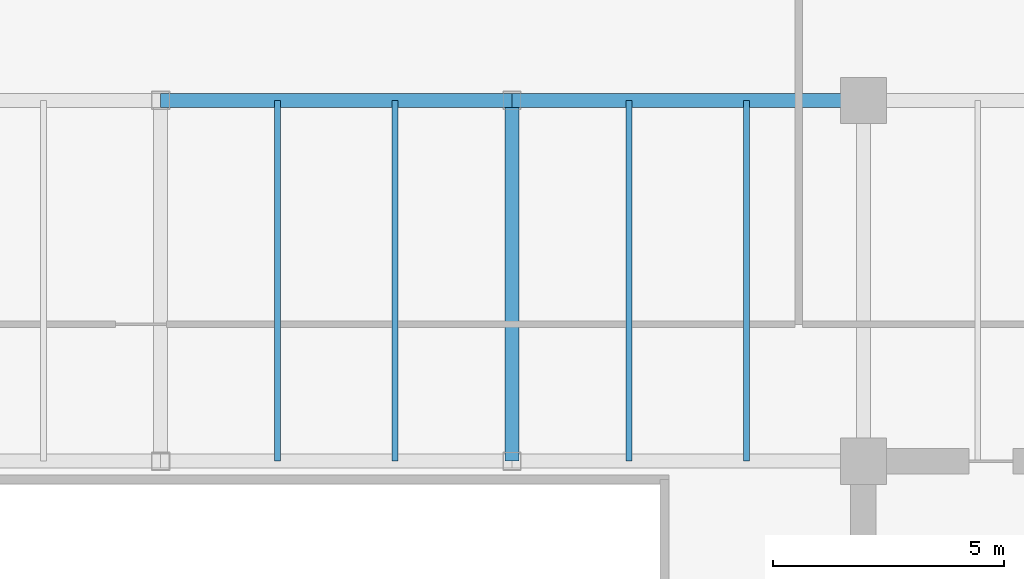
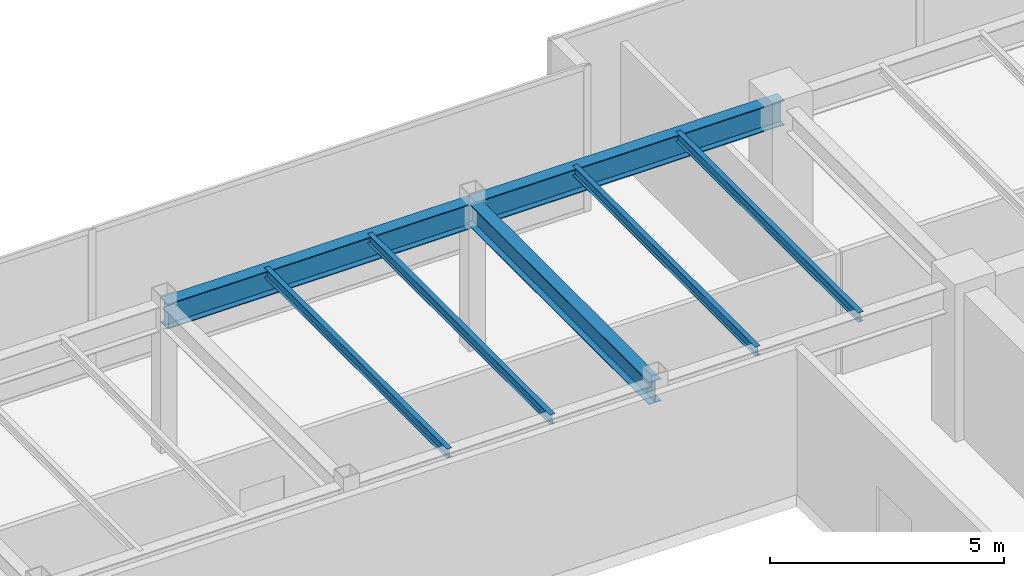
# One storey, part 18 of 33: 7 beams.
"""IFC4 building model written with IfcOpenShell, lengths in metres."""

from ifc_helpers import new_model, si_unit, direction, frame, origin, origin_2d, place, context, subcontext, project, spatial, i_section, extrude, source, transform, mapped, material, material_profile, profile_set, type_object, type_shapes, element, save


model = new_model("IFC4")

# Units and contexts
model_context = context("Model", 3, precision=1e-05, world=origin(), true_north=direction((0.0, 1.0)))
body_context = subcontext(model_context, "Body", "Model", "MODEL_VIEW")
ifc_project = project(units=[si_unit("LENGTHUNIT", "METRE"), si_unit("AREAUNIT", "SQUARE_METRE"), si_unit("VOLUMEUNIT", "CUBIC_METRE"), si_unit("PLANEANGLEUNIT", "RADIAN"), si_unit("MASSUNIT", "GRAM", prefix="KILO")], contexts=[model_context])

# Site, building, storey
site_placement = place(None, origin())
site = spatial("IfcSite", under=ifc_project, at=site_placement, CompositionType="ELEMENT")
building_placement = place(site_placement, origin())
building = spatial("IfcBuilding", under=site, at=building_placement, Name="Haelvirn Gate Laboratories", CompositionType="ELEMENT")
storey_placement = place(building_placement, frame((0.0, 0.0, 267.0)))
storey = spatial("IfcBuildingStorey", under=building, at=storey_placement, Name="L64", CompositionType="ELEMENT", Elevation=267.0)

# Beams
ifc_material = material(Name="Steel SM355", Category="steel")
ifc_material_profile_1 = material_profile(ifc_material, i_section(OverallWidth=0.300048828125, OverallDepth=0.587890625, WebThickness=0.011962890625, FlangeThickness=0.02001953125, at=origin_2d()), Name="H-588x300x12x20")
ifc_profile_set_1 = profile_set([ifc_material_profile_1], Name="Steel SM355")
beam_type_1 = type_object("IfcBeamType", Name="BM-G-588", PredefinedType="BEAM", material=ifc_profile_set_1)
shared_shape_1 = source(origin(), body_context, "Body", "SweptSolid", [
    extrude(i_section(OverallWidth=0.300048828125, OverallDepth=0.587890625, WebThickness=0.011962890625, FlangeThickness=0.02001953125, at=origin_2d()), origin(), (0.0, 0.0, 1.0), 7.800048828125),
])
type_shapes(beam_type_1, [shared_shape_1])
beam_placement = place(storey_placement, frame((45.0, 33.800048828125, 3.506103515625), z_axis=(0.0, 1.0, 0.0), x_axis=(-1.0, 0.0, 0.0)))
element("IfcBeam", 1, at=beam_placement, inside=storey, type_object=beam_type_1, Name="L64 Frame Girder X45.0 (33.8-41.6)", PredefinedType="BEAM", context=body_context, shape_type="MappedRepresentation", body=[
    mapped(shared_shape_1, transform((0.0, 0.0, 0.0), scale=1.0)),
])
ifc_material_profile_2 = material_profile(ifc_material, i_section(OverallWidth=0.300048828125, OverallDepth=0.64990234375, WebThickness=0.012939453125, FlangeThickness=0.02197265625, at=origin_2d()), Name="H-650x300x13x22")
ifc_profile_set_2 = profile_set([ifc_material_profile_2], Name="Steel SM355")
beam_type_2 = type_object("IfcBeamType", Name="BM-G-650", PredefinedType="BEAM", material=ifc_profile_set_2)
shared_shape_2 = source(origin(), body_context, "Body", "SweptSolid", [
    extrude(i_section(OverallWidth=0.300048828125, OverallDepth=0.64990234375, WebThickness=0.012939453125, FlangeThickness=0.02197265625, at=origin_2d()), origin(), (0.0, 0.0, 1.0), 7.60009765625),
])
type_shapes(beam_type_2, [shared_shape_2])
for number, where, z_axis, x_axis, name in (
    (2, (37.39990234375, 41.60009765625, 3.47509765625), (1.0, 0.0, 0.0), (0.0, 1.0, 0.0), "L64 Primary Girder Y41.6 (37.4-45.0)"),
    (3, (45.0, 41.60009765625, 3.47509765625), (1.0, 0.0, 0.0), (0.0, 1.0, 0.0), "L64 Primary Girder Y41.6 (45.0-52.6)"),
):
    element("IfcBeam", number, at=place(storey_placement, frame(where, z_axis=z_axis, x_axis=x_axis)), inside=storey, type_object=beam_type_2, Name=name, PredefinedType="BEAM", context=body_context, shape_type="MappedRepresentation", body=[
        mapped(shared_shape_2, transform((0.0, 0.0, 0.0), scale=1.0)),
    ])
ifc_material_profile_3 = material_profile(ifc_material, i_section(OverallWidth=0.125, OverallDepth=0.25, WebThickness=0.006103515625, FlangeThickness=0.009033203125, at=origin_2d()), Name="H-250x125x6x9")
ifc_profile_set_3 = profile_set([ifc_material_profile_3], Name="Steel SM355")
beam_type_3 = type_object("IfcBeamType", Name="BM-J-250", PredefinedType="JOIST", material=ifc_profile_set_3)
shared_shape_3 = source(origin(), body_context, "Body", "SweptSolid", [
    extrude(i_section(OverallWidth=0.125, OverallDepth=0.25, WebThickness=0.006103515625, FlangeThickness=0.009033203125, at=origin_2d()), origin(), (0.0, 0.0, 1.0), 7.800048828125),
])
type_shapes(beam_type_3, [shared_shape_3])
for number, where, z_axis, x_axis, name in (
    (4, (39.929931640625, 33.800048828125, 3.675048828125), (0.0, 1.0, 0.0), (-1.0, 0.0, 0.0), "L64 Composite Lab Joist North X39.93"),
    (5, (42.469970703125, 33.800048828125, 3.675048828125), (0.0, 1.0, 0.0), (-1.0, 0.0, 0.0), "L64 Composite Lab Joist North X42.47"),
    (6, (47.530029296875, 33.800048828125, 3.675048828125), (0.0, 1.0, 0.0), (-1.0, 0.0, 0.0), "L64 Composite Lab Joist North X47.53"),
    (7, (50.070068359375, 33.800048828125, 3.675048828125), (0.0, 1.0, 0.0), (-1.0, 0.0, 0.0), "L64 Composite Lab Joist North X50.07"),
):
    element("IfcBeam", number, at=place(storey_placement, frame(where, z_axis=z_axis, x_axis=x_axis)), inside=storey, type_object=beam_type_3, Name=name, PredefinedType="JOIST", context=body_context, shape_type="MappedRepresentation", body=[
        mapped(shared_shape_3, transform((0.0, 0.0, 0.0), scale=1.0)),
    ])

save(model, "model.ifc")
